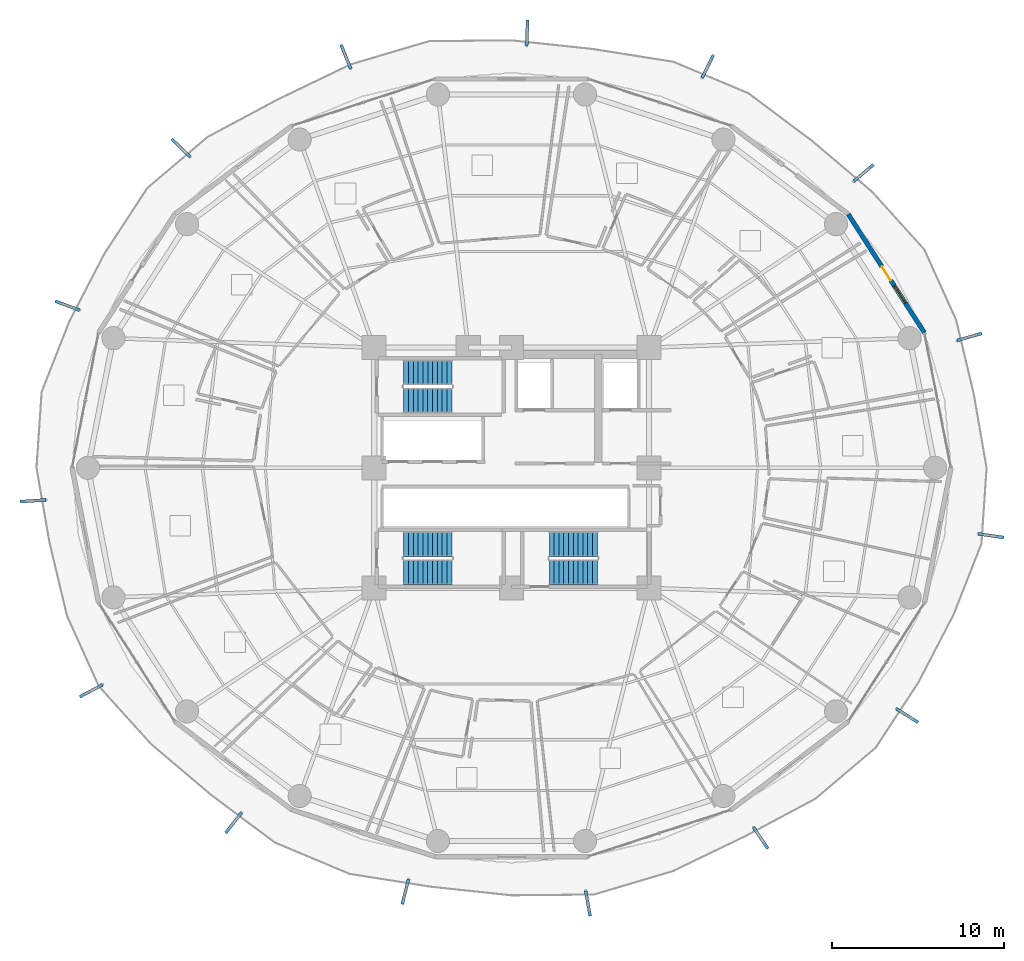
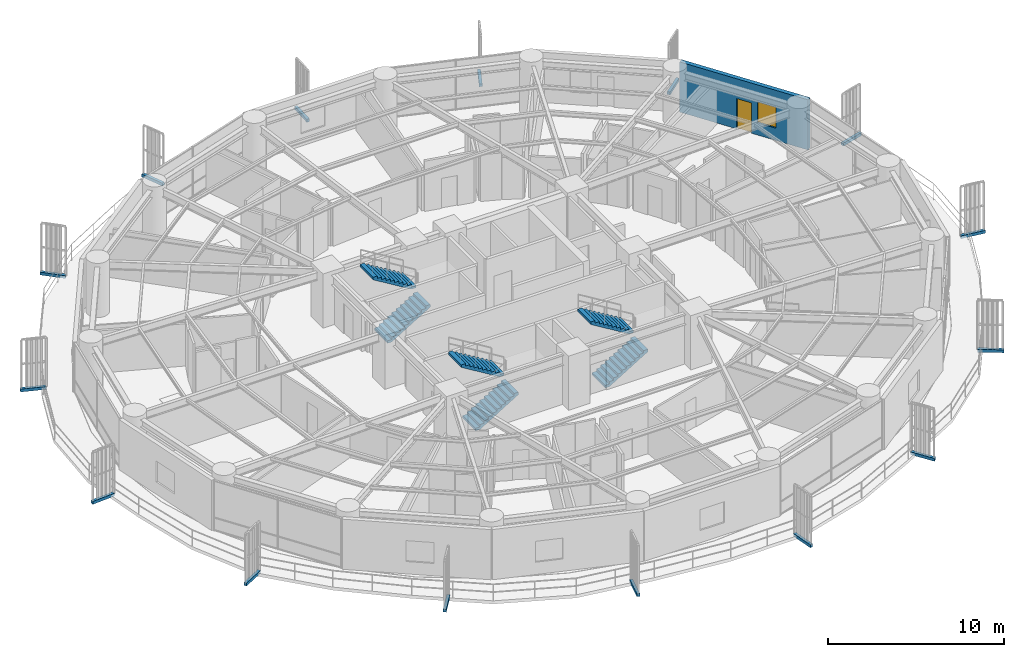
# One storey, part 30 of 34: 15 discrete accessories, 6 stair flights, 1 door, 1 wall, 1 window, 2 openings, 3 elements without a shape of their own.
"""IFC4 building model written with IfcOpenShell, lengths in metres."""

from ifc_helpers import new_model, si_unit, direction, frame, frame_2d, origin, origin_2d, place, context, subcontext, project, spatial, polyline, rectangle, outline, extrude, source, transform, mapped, material, layer, layer_set, type_object, element, fill, aggregate, save


model = new_model("IFC4")

# Units and contexts
model_context = context("Model", 3, precision=1e-05, world=origin(), true_north=direction((0.0, 1.0)))
body_context = subcontext(model_context, "Body", "Model", "MODEL_VIEW")
ifc_project = project(units=[si_unit("LENGTHUNIT", "METRE"), si_unit("AREAUNIT", "SQUARE_METRE"), si_unit("VOLUMEUNIT", "CUBIC_METRE"), si_unit("PLANEANGLEUNIT", "RADIAN"), si_unit("MASSUNIT", "GRAM", prefix="KILO")], contexts=[model_context])

# Site, building, storey
site_placement = place(None, origin())
site = spatial("IfcSite", under=ifc_project, at=site_placement, CompositionType="ELEMENT")
building_placement = place(site_placement, origin())
building = spatial("IfcBuilding", under=site, at=building_placement, Name="Kelanora Arch Commons", CompositionType="ELEMENT")
storey_placement = place(building_placement, frame((0.0, 0.0, 76.35009765625)))
storey = spatial("IfcBuildingStorey", under=building, at=storey_placement, Name="L19", CompositionType="ELEMENT", Elevation=76.35009765625)

# Wall, openings, door, window
ifc_material_1 = material(Name="Precast concrete C40/50 with terracotta rainscreen", Category="masonry")
ifc_layer = layer(ifc_material_1, 0.260009765625)
ifc_layer_set = layer_set([ifc_layer], Name="Precast concrete C40/50 with terracotta rainscreen")
wall_type = type_object("IfcWallType", Name="W-EXT-TC", PredefinedType="SOLIDWALL", material=ifc_layer_set)
wall_placement = place(storey_placement, frame((98.048095703125, 65.879150390625, 0.0), z_axis=(0.0, 0.0, 1.0), x_axis=(-0.540620528459, 0.841266571432, 0.0)))
wall = element("IfcWall", 1, at=wall_placement, inside=storey, type_object=wall_type, Name="Terracotta Exterior Wall L19-B01", PredefinedType="SOLIDWALL", context=body_context, shape_type="SweptSolid", body=[
    extrude(rectangle(XDim=8.19287109375, YDim=0.260009765625, at=frame_2d((4.096435546875, 0.0))), origin(), (0.0, 0.0, 1.0), 3.474853515625),
])
opening_1_placement = place(wall_placement, frame((3.62109375, 0.0, 0.0)))
opening_1 = element("IfcOpeningElement", 2, at=opening_1_placement, cuts=wall, Name="Opening DB-01", PredefinedType="OPENING", context=body_context, shape_type="SweptSolid", body=[
    extrude(rectangle(XDim=0.949951171875, YDim=2.10009765625, at=frame_2d((0.47509765625, 1.050048828125))), frame((0.0, 0.14013671875, 0.0), z_axis=(0.0, -1.0, 0.0), x_axis=(1.0, 0.0, 0.0)), (0.0, 0.0, 1.0), 0.280029296875),
])
opening_2_placement = place(wall_placement, frame((2.041015625, 0.0, 0.85009765625)))
opening_2 = element("IfcOpeningElement", 3, at=opening_2_placement, cuts=wall, Name="Opening WN-02", PredefinedType="OPENING", context=body_context, shape_type="SweptSolid", body=[
    extrude(rectangle(XDim=1.199951171875, YDim=1.449951171875, at=frame_2d((0.60009765625, 0.72509765625))), frame((0.0, 0.14013671875, 0.0), z_axis=(0.0, -1.0, 0.0), x_axis=(1.0, 0.0, 0.0)), (0.0, 0.0, 1.0), 0.280029296875),
])
ifc_material_2 = material(Name="Terracotta-aluminium thermally broken glazed balcony door", Category="masonry")
door_type = type_object("IfcDoorType", Name="D-BAL-10", OperationType="NOTDEFINED", PredefinedType="DOOR", material=ifc_material_2)
door_placement = place(opening_1_placement, frame((0.949951171875, 0.0, 0.0), z_axis=(0.0, 0.0, 1.0), x_axis=(-1.0, 0.0, 0.0)))
door = element("IfcDoor", 4, at=door_placement, inside=storey, type_object=door_type, Name="Wave Balcony Door L19-B01", OperationType="SINGLE_SWING_LEFT", OverallHeight=2.10009765625, OverallWidth=0.949951171875, PredefinedType="DOOR", context=body_context, shape_type="SweptSolid", body=[
    extrude(rectangle(XDim=0.949951171875, YDim=2.10009765625, at=frame_2d((0.47509765625, 1.050048828125))), frame((0.0, 0.02490234375, 0.0), z_axis=(0.0, -1.0, 0.0), x_axis=(1.0, 0.0, 0.0)), (0.0, 0.0, 1.0), 0.050048828125),
])
fill(opening_1, door)
ifc_material_3 = material(Name="Terracotta-anodised aluminium frame with operable awning sash", Category="masonry")
window_type = type_object("IfcWindowType", Name="WIN-CL-12", PartitioningType="SINGLE_PANEL", PredefinedType="WINDOW", material=ifc_material_3)
window_placement = place(opening_2_placement, origin())
window = element("IfcWindow", 5, at=window_placement, inside=storey, type_object=window_type, Name="Co-Living Operable Window L19-B01", OverallHeight=1.449951171875, OverallWidth=1.199951171875, PartitioningType="SINGLE_PANEL", PredefinedType="WINDOW", context=body_context, shape_type="SweptSolid", body=[
    extrude(rectangle(XDim=1.199951171875, YDim=1.449951171875, at=frame_2d((0.60009765625, 0.72509765625))), frame((0.0, 0.030029296875, 0.0), z_axis=(0.0, -1.0, 0.0), x_axis=(1.0, 0.0, 0.0)), (0.0, 0.0, 1.0), 0.06005859375),
])
fill(opening_2, window)

# Stair, stair flights
ifc_material_4 = material(Name="Concrete C40/50", Category="concrete")
stair_type = type_object("IfcStairType", Name="STR-DL-375", PredefinedType="HALF_TURN_STAIR", material=ifc_material_4)
stair_1_placement = place(storey_placement, origin())
stair_1 = element("IfcStair", 6, at=stair_1_placement, inside=storey, type_object=stair_type, Name="L19 ST-T1", PredefinedType="HALF_TURN_STAIR")
stair_flight_type = type_object("IfcStairFlightType", Name="FLT-DL-375", PredefinedType="STRAIGHT", material=ifc_material_4)
stair_flight_1_placement = place(storey_placement, frame((67.719970703125, 61.919921875, 0.0), z_axis=(0.0, 0.0, 1.0), x_axis=(1.0, 0.0, 0.0)))
stair_flight_1 = element("IfcStairFlight", 7, at=stair_flight_1_placement, type_object=stair_flight_type, Name="ST-T1 flight 1", NumberOfRisers=11, NumberOfTreads=10, PredefinedType="STRAIGHT", RiserHeight=0.170454545, TreadLength=0.28, context=body_context, shape_type="SweptSolid", body=[
    extrude(outline(polyline([(0.0, 0.0), (0.0, 0.17041015625), (0.280029296875, 0.17041015625), (0.280029296875, 0.3408203125), (0.56005859375, 0.3408203125), (0.56005859375, 0.511474609375), (0.840087890625, 0.511474609375), (0.840087890625, 0.681884765625), (1.1201171875, 0.681884765625), (1.1201171875, 0.852294921875), (1.39990234375, 0.852294921875), (1.39990234375, 1.022705078125), (1.679931640625, 1.022705078125), (1.679931640625, 1.193115234375), (1.9599609375, 1.193115234375), (1.9599609375, 1.363525390625), (2.239990234375, 1.363525390625), (2.239990234375, 1.5341796875), (2.52001953125, 1.5341796875), (2.52001953125, 1.70458984375), (2.800048828125, 1.70458984375), (2.800048828125, 1.875), (2.800048828125, 1.529052734375), (0.288330078125, 0.0), (0.0, 0.0)])), frame((0.0, 0.739990234375, 0.0), z_axis=(0.0, -1.0, 0.0), x_axis=(1.0, 0.0, 0.0)), (0.0, 0.0, 1.0), 1.47998046875),
])
stair_flight_2_placement = place(storey_placement, frame((70.52001953125, 63.550048828125, 1.875), z_axis=(0.0, 0.0, 1.0), x_axis=(-1.0, 0.0, 0.0)))
stair_flight_2 = element("IfcStairFlight", 8, at=stair_flight_2_placement, type_object=stair_flight_type, Name="ST-T1 flight 2", NumberOfRisers=11, NumberOfTreads=10, PredefinedType="STRAIGHT", RiserHeight=0.170454545, TreadLength=0.28, context=body_context, shape_type="SweptSolid", body=[
    extrude(outline(polyline([(0.0, 0.0), (0.0, 0.17041015625), (0.280029296875, 0.17041015625), (0.280029296875, 0.3408203125), (0.56005859375, 0.3408203125), (0.56005859375, 0.511474609375), (0.840087890625, 0.511474609375), (0.840087890625, 0.681884765625), (1.1201171875, 0.681884765625), (1.1201171875, 0.852294921875), (1.39990234375, 0.852294921875), (1.39990234375, 1.022705078125), (1.679931640625, 1.022705078125), (1.679931640625, 1.193115234375), (1.9599609375, 1.193115234375), (1.9599609375, 1.363525390625), (2.239990234375, 1.363525390625), (2.239990234375, 1.5341796875), (2.52001953125, 1.5341796875), (2.52001953125, 1.70458984375), (2.800048828125, 1.70458984375), (2.800048828125, 1.875), (2.800048828125, 1.529052734375), (0.288330078125, 0.0), (0.0, 0.0)])), frame((0.0, 0.739990234375, 0.0), z_axis=(0.0, -1.0, 0.0), x_axis=(1.0, 0.0, 0.0)), (0.0, 0.0, 1.0), 1.47998046875),
])
aggregate(stair_1, [stair_flight_1, stair_flight_2])

stair_2_placement = place(storey_placement, origin())
stair_2 = element("IfcStair", 9, at=stair_2_placement, inside=storey, type_object=stair_type, Name="L19 ST-T2", PredefinedType="HALF_TURN_STAIR")
stair_flight_3_placement = place(storey_placement, frame((76.199951171875, 51.919921875, 0.0), z_axis=(0.0, 0.0, 1.0), x_axis=(1.0, 0.0, 0.0)))
stair_flight_3 = element("IfcStairFlight", 10, at=stair_flight_3_placement, type_object=stair_flight_type, Name="ST-T2 flight 1", NumberOfRisers=11, NumberOfTreads=10, PredefinedType="STRAIGHT", RiserHeight=0.170454545, TreadLength=0.28, context=body_context, shape_type="SweptSolid", body=[
    extrude(outline(polyline([(0.0, 0.0), (0.0, 0.17041015625), (0.280029296875, 0.17041015625), (0.280029296875, 0.3408203125), (0.56005859375, 0.3408203125), (0.56005859375, 0.511474609375), (0.840087890625, 0.511474609375), (0.840087890625, 0.681884765625), (1.1201171875, 0.681884765625), (1.1201171875, 0.852294921875), (1.39990234375, 0.852294921875), (1.39990234375, 1.022705078125), (1.679931640625, 1.022705078125), (1.679931640625, 1.193115234375), (1.9599609375, 1.193115234375), (1.9599609375, 1.363525390625), (2.239990234375, 1.363525390625), (2.239990234375, 1.5341796875), (2.52001953125, 1.5341796875), (2.52001953125, 1.70458984375), (2.800048828125, 1.70458984375), (2.800048828125, 1.875), (2.800048828125, 1.529052734375), (0.288330078125, 0.0), (0.0, 0.0)])), frame((0.0, 0.739990234375, 0.0), z_axis=(0.0, -1.0, 0.0), x_axis=(1.0, 0.0, 0.0)), (0.0, 0.0, 1.0), 1.47998046875),
])
stair_flight_4_placement = place(storey_placement, frame((79.0, 53.550048828125, 1.875), z_axis=(0.0, 0.0, 1.0), x_axis=(-1.0, 0.0, 0.0)))
stair_flight_4 = element("IfcStairFlight", 11, at=stair_flight_4_placement, type_object=stair_flight_type, Name="ST-T2 flight 2", NumberOfRisers=11, NumberOfTreads=10, PredefinedType="STRAIGHT", RiserHeight=0.170454545, TreadLength=0.28, context=body_context, shape_type="SweptSolid", body=[
    extrude(outline(polyline([(0.0, 0.0), (0.0, 0.17041015625), (0.280029296875, 0.17041015625), (0.280029296875, 0.3408203125), (0.56005859375, 0.3408203125), (0.56005859375, 0.511474609375), (0.840087890625, 0.511474609375), (0.840087890625, 0.681884765625), (1.1201171875, 0.681884765625), (1.1201171875, 0.852294921875), (1.39990234375, 0.852294921875), (1.39990234375, 1.022705078125), (1.679931640625, 1.022705078125), (1.679931640625, 1.193115234375), (1.9599609375, 1.193115234375), (1.9599609375, 1.363525390625), (2.239990234375, 1.363525390625), (2.239990234375, 1.5341796875), (2.52001953125, 1.5341796875), (2.52001953125, 1.70458984375), (2.800048828125, 1.70458984375), (2.800048828125, 1.875), (2.800048828125, 1.529052734375), (0.288330078125, 0.0), (0.0, 0.0)])), frame((0.0, 0.739990234375, 0.0), z_axis=(0.0, -1.0, 0.0), x_axis=(1.0, 0.0, 0.0)), (0.0, 0.0, 1.0), 1.47998046875),
])
aggregate(stair_2, [stair_flight_3, stair_flight_4])

stair_3_placement = place(storey_placement, origin())
stair_3 = element("IfcStair", 12, at=stair_3_placement, inside=storey, type_object=stair_type, Name="L19 ST-T3", PredefinedType="HALF_TURN_STAIR")
stair_flight_5_placement = place(storey_placement, frame((67.719970703125, 51.919921875, 0.0), z_axis=(0.0, 0.0, 1.0), x_axis=(1.0, 0.0, 0.0)))
stair_flight_5 = element("IfcStairFlight", 13, at=stair_flight_5_placement, type_object=stair_flight_type, Name="ST-T3 flight 1", NumberOfRisers=11, NumberOfTreads=10, PredefinedType="STRAIGHT", RiserHeight=0.170454545, TreadLength=0.28, context=body_context, shape_type="SweptSolid", body=[
    extrude(outline(polyline([(0.0, 0.0), (0.0, 0.17041015625), (0.280029296875, 0.17041015625), (0.280029296875, 0.3408203125), (0.56005859375, 0.3408203125), (0.56005859375, 0.511474609375), (0.840087890625, 0.511474609375), (0.840087890625, 0.681884765625), (1.1201171875, 0.681884765625), (1.1201171875, 0.852294921875), (1.39990234375, 0.852294921875), (1.39990234375, 1.022705078125), (1.679931640625, 1.022705078125), (1.679931640625, 1.193115234375), (1.9599609375, 1.193115234375), (1.9599609375, 1.363525390625), (2.239990234375, 1.363525390625), (2.239990234375, 1.5341796875), (2.52001953125, 1.5341796875), (2.52001953125, 1.70458984375), (2.800048828125, 1.70458984375), (2.800048828125, 1.875), (2.800048828125, 1.529052734375), (0.288330078125, 0.0), (0.0, 0.0)])), frame((0.0, 0.739990234375, 0.0), z_axis=(0.0, -1.0, 0.0), x_axis=(1.0, 0.0, 0.0)), (0.0, 0.0, 1.0), 1.47998046875),
])
stair_flight_6_placement = place(storey_placement, frame((70.52001953125, 53.550048828125, 1.875), z_axis=(0.0, 0.0, 1.0), x_axis=(-1.0, 0.0, 0.0)))
stair_flight_6 = element("IfcStairFlight", 14, at=stair_flight_6_placement, type_object=stair_flight_type, Name="ST-T3 flight 2", NumberOfRisers=11, NumberOfTreads=10, PredefinedType="STRAIGHT", RiserHeight=0.170454545, TreadLength=0.28, context=body_context, shape_type="SweptSolid", body=[
    extrude(outline(polyline([(0.0, 0.0), (0.0, 0.17041015625), (0.280029296875, 0.17041015625), (0.280029296875, 0.3408203125), (0.56005859375, 0.3408203125), (0.56005859375, 0.511474609375), (0.840087890625, 0.511474609375), (0.840087890625, 0.681884765625), (1.1201171875, 0.681884765625), (1.1201171875, 0.852294921875), (1.39990234375, 0.852294921875), (1.39990234375, 1.022705078125), (1.679931640625, 1.022705078125), (1.679931640625, 1.193115234375), (1.9599609375, 1.193115234375), (1.9599609375, 1.363525390625), (2.239990234375, 1.363525390625), (2.239990234375, 1.5341796875), (2.52001953125, 1.5341796875), (2.52001953125, 1.70458984375), (2.800048828125, 1.70458984375), (2.800048828125, 1.875), (2.800048828125, 1.529052734375), (0.288330078125, 0.0), (0.0, 0.0)])), frame((0.0, 0.739990234375, 0.0), z_axis=(0.0, -1.0, 0.0), x_axis=(1.0, 0.0, 0.0)), (0.0, 0.0, 1.0), 1.47998046875),
])
aggregate(stair_3, [stair_flight_5, stair_flight_6])

# Discrete accessories
ifc_material_5 = material(Name="Stainless steel 316 marine fin bracket", Category="steel")
discrete_accessory_type = type_object("IfcDiscreteAccessoryType", Name="ACC-FIN-BRK", PredefinedType="BRACKET", material=ifc_material_5)
shared_shape = source(origin(), body_context, "Body", "SweptSolid", [
    extrude(rectangle(XDim=1.489990234375, YDim=0.179931640625, at=origin_2d()), origin(), (0.0, 0.0, 1.0), 0.199951171875),
])
for number, where, z_axis, x_axis, name in (
    (15, (94.51318359375, 75.17822265625, -0.16015625), (0.0, 0.0, 1.0), (0.766717148576, 0.641985057521, 0.0), "Sweeping Fin Cantilever Spine Bracket L19-00"),
    (16, (85.43310546875, 81.383544921875, -0.16015625), (0.0, 0.0, 1.0), (0.439312121178, 0.898334492373, 0.0), "Sweeping Fin Cantilever Spine Bracket L19-01"),
    (17, (74.909423828125, 83.334228515625, -0.16015625), (0.0, 0.0, 1.0), (0.035946037002, 0.999353732381, 0.0), "Sweeping Fin Cantilever Spine Bracket L19-02"),
    (18, (64.349853515625, 81.952392578125, -0.16015625), (0.0, 0.0, 1.0), (-0.37363544353, 0.927575633217, 0.0), "Sweeping Fin Cantilever Spine Bracket L19-03"),
    (19, (54.736572265625, 76.638916015625, -0.16015625), (0.0, 0.0, 1.0), (-0.718611961505, 0.69541128031, 0.0), "Sweeping Fin Cantilever Spine Bracket L19-04"),
    (20, (48.125, 67.4462890625, -0.16015625), (0.0, 0.0, 1.0), (-0.939333942951, 0.343003999424, 0.0), "Sweeping Fin Cantilever Spine Bracket L19-05"),
    (21, (46.12890625, 56.07861328125, -0.16015625), (0.0, 0.0, 1.0), (-0.997636552079, -0.068711789056, 0.0), "Sweeping Fin Cantilever Spine Bracket L19-06"),
    (22, (49.513916015625, 45.01123046875, -0.16015625), (0.0, 0.0, 1.0), (-0.88343873811, -0.468546684981, 0.0), "Sweeping Fin Cantilever Spine Bracket L19-07"),
    (23, (57.806640625, 37.315185546875, -0.16015625), (0.0, 0.0, 1.0), (-0.616486340532, -0.78736560246, 0.0), "Sweeping Fin Cantilever Spine Bracket L19-08"),
    (24, (67.81591796875, 33.2998046875, -0.16015625), (0.0, 0.0, 1.0), (-0.242937854074, -0.970041854282, 0.0), "Sweeping Fin Cantilever Spine Bracket L19-09"),
    (25, (78.44970703125, 32.619384765625, -0.16015625), (0.0, 0.0, 1.0), (0.172616794375, -0.984989056944, 0.0), "Sweeping Fin Cantilever Spine Bracket L19-10"),
    (26, (88.5185546875, 36.43017578125, -0.16015625), (0.0, 0.0, 1.0), (0.558324430902, -0.829622703317, 0.0), "Sweeping Fin Cantilever Spine Bracket L19-11"),
    (27, (97.0595703125, 43.559326171875, -0.16015625), (0.0, 0.0, 1.0), (0.847492701108, -0.5308070474, 0.0), "Sweeping Fin Cantilever Spine Bracket L19-12"),
    (28, (101.932373046875, 54.04638671875, -0.16015625), (0.0, 0.0, 1.0), (0.990121784063, -0.140210030757, 0.0), "Sweeping Fin Cantilever Spine Bracket L19-13"),
    (29, (100.67578125, 65.62109375, -0.16015625), (0.0, 0.0, 1.0), (0.961549815579, 0.274630573972, 0.0), "Sweeping Fin Cantilever Spine Bracket L19-14"),
):
    element("IfcDiscreteAccessory", number, at=place(storey_placement, frame(where, z_axis=z_axis, x_axis=x_axis)), inside=storey, type_object=discrete_accessory_type, Name=name, PredefinedType="BRACKET", context=body_context, shape_type="MappedRepresentation", body=[
        mapped(shared_shape, transform((0.0, 0.0, 0.0), scale=1.0)),
    ])

save(model, "model.ifc")
